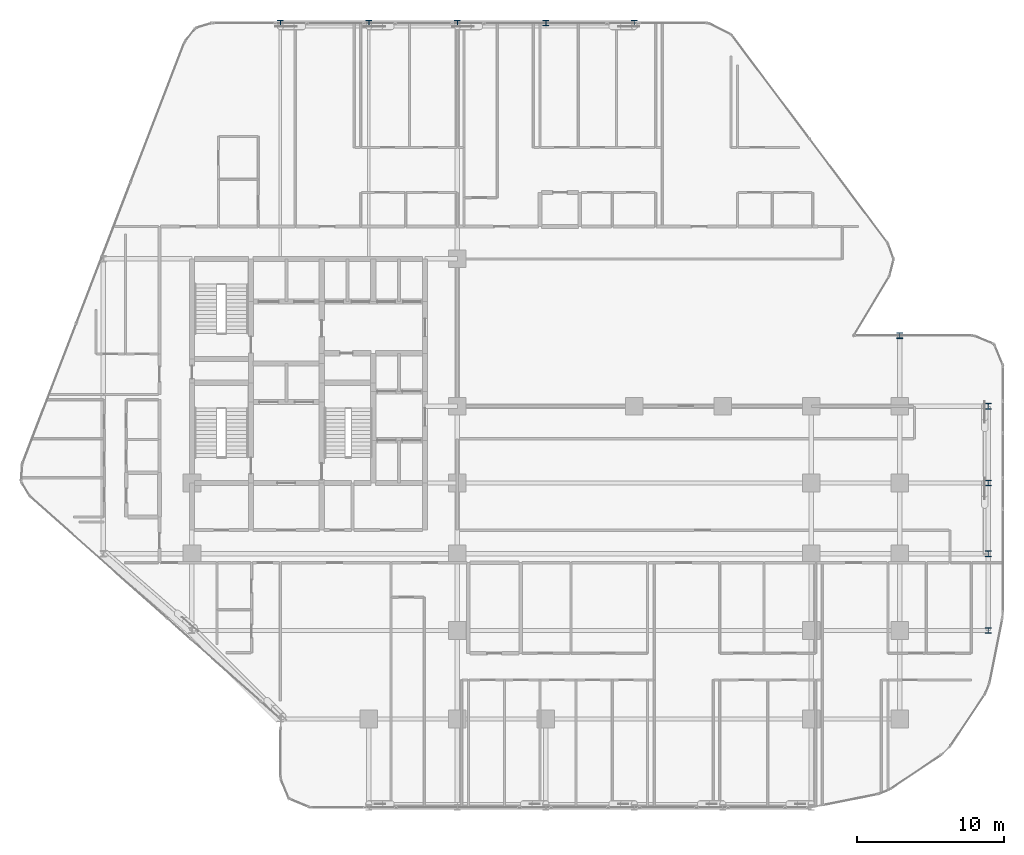
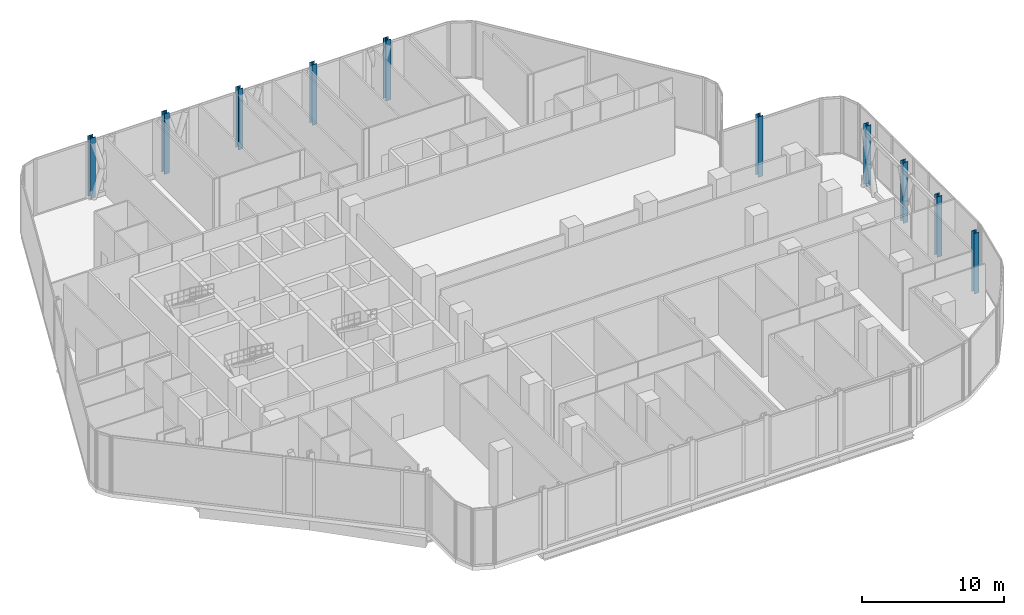
# One storey, part 2 of 36: 10 columns.
"""IFC4 building model written with IfcOpenShell, lengths in metres."""

import ifcopenshell
import ifcopenshell.guid

model = None  # the IFC model being written
_history = None  # IfcOwnerHistory: only IFC2X3 demands one
_inside = {}  # id of a spatial element -> (the spatial element, [elements in it])
_under = {}  # id of a project, library or spatial element -> (it, [spatial elements below it])
_declared = {}  # id of a project -> (the project, [libraries it declares])
_typed = {}  # id of a type object -> (the type object, [elements of that type])
_made_of = {}  # id of a material, layer set ... -> (it, [elements and type objects made of it])


def new_model(schema):
    """Start an empty IFC model of exactly this schema.

    Asked for "IFC4X3", IfcOpenShell would pick the latest addendum, in which some entities
    have other attributes; the version numbers below select the first issue.
    IFC2X3 requires an IfcOwnerHistory on every rooted entity: one is made here for all.
    """
    global model, _history
    if schema == "IFC4X3":
        model = ifcopenshell.file(schema_version=(4, 3, 0, 0))
    else:
        model = ifcopenshell.file(schema=schema)
    _inside.clear()
    _under.clear()
    _declared.clear()
    _typed.clear()
    _made_of.clear()
    _history = None
    if model.schema == "IFC2X3":
        org = make("IfcOrganization", Name="unknown")
        user = make(
            "IfcPersonAndOrganization",
            ThePerson=make("IfcPerson", FamilyName="unknown"),
            TheOrganization=org,
        )
        app = make(
            "IfcApplication",
            ApplicationDeveloper=org,
            Version="unknown",
            ApplicationFullName="unknown",
            ApplicationIdentifier="unknown",
        )
        _history = make(
            "IfcOwnerHistory",
            OwningUser=user,
            OwningApplication=app,
            ChangeAction="ADDED",
            CreationDate=0,
        )
    return model


def make(cls, **values):
    """One entity of the class cls with the attributes given. An attribute that is None is left unset."""
    return model.create_entity(
        cls, **{name: value for name, value in values.items() if value is not None}
    )


def rooted(cls, **values):
    """An entity with a GlobalId (a new one), such as an element, a storey or a relation."""
    return make(cls, GlobalId=ifcopenshell.guid.new(), OwnerHistory=_history, **values)


def si_unit(unit_type, name, prefix=None):
    """IfcSIUnit, for example si_unit("LENGTHUNIT", "METRE", prefix="MILLI")."""
    return make("IfcSIUnit", UnitType=unit_type, Prefix=prefix, Name=name)


def assignment(units):
    """IfcUnitAssignment: the units of a project."""
    return None if units is None else make("IfcUnitAssignment", Units=units)


def point(xyz):
    """IfcCartesianPoint."""
    return None if xyz is None else make("IfcCartesianPoint", Coordinates=xyz)


def direction(xyz):
    """IfcDirection."""
    return None if xyz is None else make("IfcDirection", DirectionRatios=xyz)


def frame(location, z_axis=None, x_axis=None):
    """IfcAxis2Placement3D, a coordinate frame: its origin and axes. An axis left out is left unset."""
    return make(
        "IfcAxis2Placement3D",
        Location=point(location),
        Axis=direction(z_axis),
        RefDirection=direction(x_axis),
    )


def frame_2d(location, x_axis=None):
    """IfcAxis2Placement2D, a coordinate frame in the plane: its origin and x axis."""
    return make(
        "IfcAxis2Placement2D", Location=point(location), RefDirection=direction(x_axis)
    )


def origin():
    """The frame at (0, 0, 0) with its axes left unset."""
    return frame((0.0, 0.0, 0.0))


def origin_2d():
    """The frame at (0, 0) in the plane with its x axis left unset."""
    return frame_2d((0.0, 0.0))


def place(relative_to, where):
    """IfcLocalPlacement: puts the frame where relative to a parent placement (None: the world)."""
    return make(
        "IfcLocalPlacement", PlacementRelTo=relative_to, RelativePlacement=where
    )


def context(
    kind, dimensions, precision=None, world=None, true_north=None, identifier=None
):
    """IfcGeometricRepresentationContext, for example the 3D "Model" context."""
    return make(
        "IfcGeometricRepresentationContext",
        ContextIdentifier=identifier,
        ContextType=kind,
        CoordinateSpaceDimension=dimensions,
        Precision=precision,
        WorldCoordinateSystem=world,
        TrueNorth=true_north,
    )


def subcontext(parent, identifier, kind, view, scale=None):
    """IfcGeometricRepresentationSubContext, for example "Body" below "Model"."""
    return make(
        "IfcGeometricRepresentationSubContext",
        ContextIdentifier=identifier,
        ContextType=kind,
        ParentContext=parent,
        TargetScale=scale,
        TargetView=view,
    )


def project(units=None, contexts=None):
    """IfcProject with its units and contexts."""
    return rooted(
        "IfcProject",
        Name="project",
        RepresentationContexts=contexts,
        UnitsInContext=assignment(units),
    )


def spatial(cls, under=None, at=None, **own):
    """A site, building, storey or space (cls), placed at a placement, below another one or the project."""
    s = rooted(cls, ObjectPlacement=at, **own)
    if under is not None:
        _under.setdefault(under.id(), (under, []))[1].append(s)
    return s


def profile(cls, at=None, kind="AREA", **sizes):
    """A parametric profile (cls). Its sizes go by their IFC names, for example OverallWidth=200.0."""
    return make(cls, ProfileType=kind, Position=at, **sizes)


def i_section(**sizes):
    """IfcIShapeProfileDef."""
    return profile("IfcIShapeProfileDef", **sizes)


def extrude(swept, where, along, depth):
    """IfcExtrudedAreaSolid: the profile swept, set in the frame where, extruded along a direction by depth."""
    return make(
        "IfcExtrudedAreaSolid",
        SweptArea=swept,
        Position=where,
        ExtrudedDirection=direction(along),
        Depth=depth,
    )


def shape(context_of_items, identifier, shape_type, items):
    """IfcShapeRepresentation: the items that make up one representation, for example the "Body"."""
    return make(
        "IfcShapeRepresentation",
        ContextOfItems=context_of_items,
        RepresentationIdentifier=identifier,
        RepresentationType=shape_type,
        Items=items,
    )


def material(Name=None, Category=None):
    """IfcMaterial."""
    return make("IfcMaterial", Name=Name, Category=Category)


def material_profile(
    of_material, cross_section, Name=None, Category=None, Priority=None
):
    """IfcMaterialProfile: a cross section and its material."""
    return make(
        "IfcMaterialProfile",
        Name=Name,
        Material=of_material,
        Profile=cross_section,
        Priority=Priority,
        Category=Category,
    )


def profile_set(profiles, Name=None, composite=None):
    """IfcMaterialProfileSet."""
    return make(
        "IfcMaterialProfileSet",
        Name=Name,
        MaterialProfiles=profiles,
        CompositeProfile=composite,
    )


def made_of(thing, what):
    """Note that an element or type object is made of a material, layer set ...; save() writes the relation."""
    if what is not None:
        _made_of.setdefault(what.id(), (what, []))[1].append(thing)
    return thing


def type_object(cls, material=None, **own):
    """A type object (cls), such as IfcWallType, which elements share."""
    return made_of(rooted(cls, **own), material)


def element(
    cls,
    number,
    at=None,
    inside=None,
    cuts=None,
    type_object=None,
    material=None,
    context=None,
    identifier="Body",
    shape_type=None,
    held_by="IfcProductDefinitionShape",
    body=None,
    shapes=None,
    **own,
):
    """One element of the class cls, such as IfcWall. Its Tag is "e" and its number.

    at: its placement. inside: the storey or other place that contains it. cuts: it is an
    opening in that element (IfcRelVoidsElement). A single representation is given by context,
    identifier, shape_type and body (its items); several are given by shapes. held_by: the class
    of the entity that holds the representations. save() writes the other relations.
    """
    e = rooted(cls, Tag="e%d" % number, ObjectPlacement=at, **own)
    if body is not None:
        shapes = [shape(context, identifier, shape_type, body)]
    if shapes is not None:
        e.Representation = make(held_by, Representations=shapes)
    if inside is not None:
        _inside.setdefault(inside.id(), (inside, []))[1].append(e)
    if cuts is not None:
        rooted(
            "IfcRelVoidsElement", RelatingBuildingElement=cuts, RelatedOpeningElement=e
        )
    if type_object is not None:
        _typed.setdefault(type_object.id(), (type_object, []))[1].append(e)
    return made_of(e, material)


def aggregate(whole, parts):
    """IfcRelAggregates: a whole, such as a stair, and the parts it consists of."""
    return rooted("IfcRelAggregates", RelatingObject=whole, RelatedObjects=parts)


def save(model, path):
    """Write the relations noted so far, then the file.

    IfcRelAggregates (storeys below a building ...), IfcRelContainedInSpatialStructure (elements
    in a storey), IfcRelDefinesByType, IfcRelAssociatesMaterial and IfcRelDeclares: one each for
    every whole, place, type object, material and project.
    """
    for whole, parts in _under.values():
        aggregate(whole, parts)
    for where, things in _inside.values():
        rooted(
            "IfcRelContainedInSpatialStructure",
            RelatedElements=things,
            RelatingStructure=where,
        )
    for kind, things in _typed.values():
        rooted("IfcRelDefinesByType", RelatedObjects=things, RelatingType=kind)
    for what, things in _made_of.values():
        rooted("IfcRelAssociatesMaterial", RelatedObjects=things, RelatingMaterial=what)
    for by, libraries in _declared.values():
        rooted("IfcRelDeclares", RelatingContext=by, RelatedDefinitions=libraries)
    model.write(path)


model = new_model("IFC4")

# Units and contexts
model_context = context("Model", 3, precision=1e-05, world=origin(), true_north=direction((0.0, 1.0)))
body_context = subcontext(model_context, "Body", "Model", "MODEL_VIEW")
ifc_project = project(units=[si_unit("LENGTHUNIT", "METRE"), si_unit("AREAUNIT", "SQUARE_METRE"), si_unit("VOLUMEUNIT", "CUBIC_METRE"), si_unit("PLANEANGLEUNIT", "RADIAN"), si_unit("MASSUNIT", "GRAM", prefix="KILO")], contexts=[model_context])

# Site, building, storey
site_placement = place(None, origin())
site = spatial("IfcSite", under=ifc_project, at=site_placement, CompositionType="ELEMENT")
building_placement = place(site_placement, origin())
building = spatial("IfcBuilding", under=site, at=building_placement, Name="Keshet Zoharim Tower", CompositionType="ELEMENT")
storey_placement = place(building_placement, frame((0.0, 0.0, 81.199951171875)))
storey = spatial("IfcBuildingStorey", under=building, at=storey_placement, Name="L19", CompositionType="ELEMENT", Elevation=81.199951171875)

# Columns
ifc_material = material(Name="Steel S355", Category="steel")
ifc_material_profile = material_profile(ifc_material, i_section(OverallWidth=0.40087890625, OverallDepth=0.39892578125, WebThickness=0.02490234375, FlangeThickness=0.03955078125, FilletRadius=0.014892578125, at=origin_2d()), Name="HD400x314")
ifc_profile_set = profile_set([ifc_material_profile], Name="Steel S355")
column_type = type_object("IfcColumnType", Name="COL-HD314", PredefinedType="COLUMN", material=ifc_profile_set)
for number, where, z_axis, x_axis, name in (
    (1, (21.0, 53.89990234375, 0.0), (0.0, 0.0, 1.0), (1.0, 0.0, 0.0), "L19 Column 4L"),
    (2, (27.0, 53.89990234375, 0.0), (0.0, 0.0, 1.0), (1.0, 0.0, 0.0), "L19 Column 5L"),
    (3, (33.0, 53.89990234375, 0.0), (0.0, 0.0, 1.0), (1.0, 0.0, 0.0), "L19 Column 6L"),
    (4, (39.0, 53.89990234375, 0.0), (0.0, 0.0, 1.0), (1.0, 0.0, 0.0), "L19 Column 7L"),
    (5, (45.0, 53.89990234375, 0.0), (0.0, 0.0, 1.0), (1.0, 0.0, 0.0), "L19 Column 8L"),
    (6, (63.0, 32.699951171875, 0.0), (0.0, 0.0, 1.0), (1.0, 0.0, 0.0), "L19 Column 11G"),
    (7, (69.0, 12.699951171875, 0.0), (0.0, 0.0, 1.0), (1.0, 0.0, 0.0), "L19 Column 12C"),
    (8, (69.0, 17.89990234375, 0.0), (0.0, 0.0, 1.0), (1.0, 0.0, 0.0), "L19 Column 12D"),
    (9, (69.0, 22.699951171875, 0.0), (0.0, 0.0, 1.0), (1.0, 0.0, 0.0), "L19 Column 12E"),
    (10, (69.0, 27.89990234375, 0.0), (0.0, 0.0, 1.0), (1.0, 0.0, 0.0), "L19 Column 12F"),
):
    element("IfcColumn", number, at=place(storey_placement, frame(where, z_axis=z_axis, x_axis=x_axis)), inside=storey, type_object=column_type, Name=name, PredefinedType="COLUMN", context=body_context, shape_type="SweptSolid", body=[
        extrude(i_section(OverallWidth=0.40087890625, OverallDepth=0.39892578125, WebThickness=0.02490234375, FlangeThickness=0.03955078125, FilletRadius=0.014892578125, at=origin_2d()), origin(), (0.0, 0.0, 1.0), 5.199951171875),
    ])

save(model, "model.ifc")
